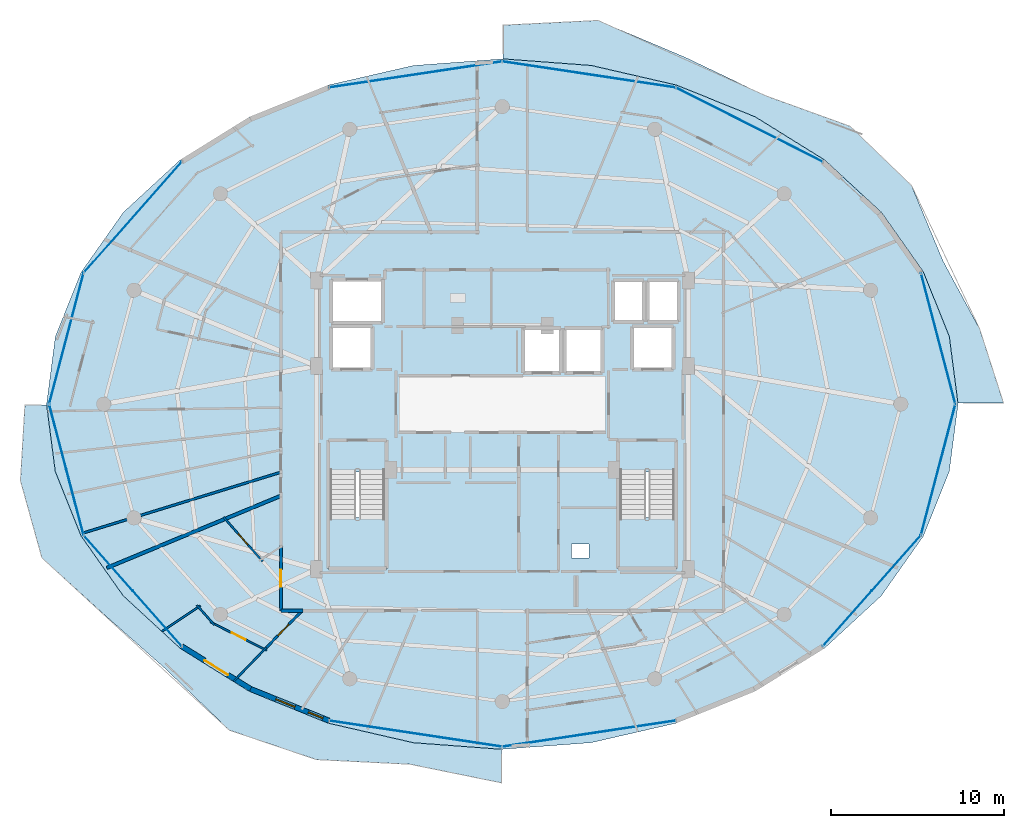
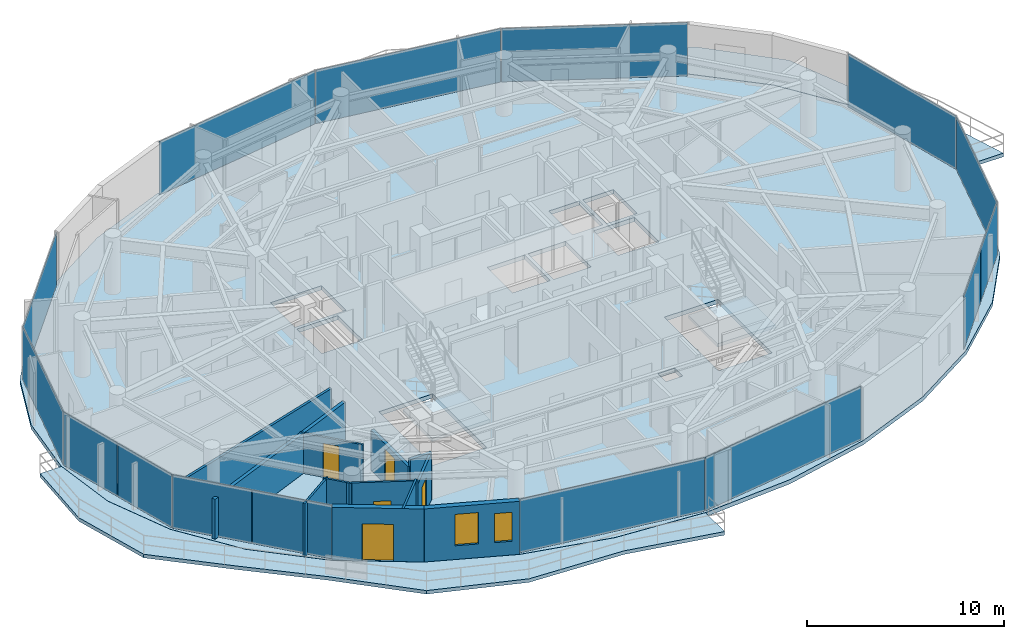
# One storey, part 22 of 31: 15 plates, 12 walls, 5 doors, 5 slabs, 2 windows, 7 openings, 6 elements without a shape of their own.
"""IFC4 building model written with IfcOpenShell, lengths in metres."""

from ifc_helpers import new_model, si_unit, direction, frame, frame_2d, origin, origin_2d, place, context, subcontext, project, spatial, polyline, rectangle, outline, extrude, material, layer, layer_set, type_object, element, fill, aggregate, save


model = new_model("IFC4")

# Units and contexts
model_context = context("Model", 3, precision=1e-05, world=origin(), true_north=direction((0.0, 1.0)))
body_context = subcontext(model_context, "Body", "Model", "MODEL_VIEW")
ifc_project = project(units=[si_unit("LENGTHUNIT", "METRE"), si_unit("AREAUNIT", "SQUARE_METRE"), si_unit("VOLUMEUNIT", "CUBIC_METRE"), si_unit("PLANEANGLEUNIT", "RADIAN"), si_unit("MASSUNIT", "GRAM", prefix="KILO")], contexts=[model_context])

# Site, building, storey
site_placement = place(None, origin())
site = spatial("IfcSite", under=ifc_project, at=site_placement, CompositionType="ELEMENT")
building_placement = place(site_placement, origin())
building = spatial("IfcBuilding", under=site, at=building_placement, Name="Vorneva Point Tower", CompositionType="ELEMENT")
storey_placement = place(building_placement, frame((0.0, 0.0, 266.199951171875)))
storey = spatial("IfcBuildingStorey", under=building, at=storey_placement, Name="L72", CompositionType="ELEMENT", Elevation=266.199951171875)

# Curtain wall, plates
ifc_material_1 = material(Name="Pale anodised aluminium", Category="aluminium")
curtain_wall_type = type_object("IfcCurtainWallType", Name="CW-RES-SYS", PredefinedType="NOTDEFINED", material=ifc_material_1)
curtain_wall_1_placement = place(storey_placement, origin())
curtain_wall_1 = element("IfcCurtainWall", 1, at=curtain_wall_1_placement, inside=storey, type_object=curtain_wall_type, Name="L72 Unitised Curtain Wall CW-L72-R01", PredefinedType="NOTDEFINED")
ifc_material_2 = material(Name="Double low-e laminated glass IGU", Category="glass")
ifc_layer_1 = layer(ifc_material_2, 0.035888671875)
ifc_layer_set_1 = layer_set([ifc_layer_1], Name="Double low-e laminated glass IGU")
plate_type = type_object("IfcPlateType", Name="CW-PNL-VIS", PredefinedType="CURTAIN_PANEL", material=ifc_layer_set_1)
plate_1_placement = place(storey_placement, frame((57.946044921875, 13.598876953125, -0.02001953125), z_axis=(0.0, 0.0, 1.0), x_axis=(0.662188570806, 0.749337238294, 0.0)))
plate_1 = element("IfcPlate", 2, at=plate_1_placement, type_object=plate_type, Name="CW-L72-R01 Glazed Panel 01A", PredefinedType="CURTAIN_PANEL", context=body_context, shape_type="SweptSolid", body=[
    extrude(rectangle(XDim=4.23828125, YDim=0.035888671875, at=origin_2d()), origin(), (0.0, 0.0, 1.0), 3.330078125),
])
plate_2_placement = place(storey_placement, frame((60.785888671875, 16.812255859375, -0.02001953125), z_axis=(0.0, 0.0, 1.0), x_axis=(0.662188570806, 0.749337238294, 0.0)))
plate_2 = element("IfcPlate", 3, at=plate_2_placement, type_object=plate_type, Name="CW-L72-R01 Glazed Panel 01B", PredefinedType="CURTAIN_PANEL", context=body_context, shape_type="SweptSolid", body=[
    extrude(rectangle(XDim=4.23828125, YDim=0.035888671875, at=origin_2d()), origin(), (0.0, 0.0, 1.0), 3.330078125),
])
plate_3_placement = place(storey_placement, frame((63.202880859375, 22.20947265625, -0.02001953125), z_axis=(0.0, 0.0, 1.0), x_axis=(0.254416284022, 0.967094801157, 0.0)))
plate_3 = element("IfcPlate", 4, at=plate_3_placement, type_object=plate_type, Name="CW-L72-R01 Glazed Panel 02", PredefinedType="CURTAIN_PANEL", context=body_context, shape_type="SweptSolid", body=[
    extrude(rectangle(XDim=7.7890625, YDim=0.035888671875, at=origin_2d()), origin(), (0.0, 0.0, 1.0), 3.330078125),
])
plate_4_placement = place(storey_placement, frame((63.202880859375, 29.79052734375, -0.02001953125), z_axis=(0.0, 0.0, 1.0), x_axis=(-0.254416284022, 0.967094801157, 0.0)))
plate_4 = element("IfcPlate", 5, at=plate_4_placement, type_object=plate_type, Name="CW-L72-R01 Glazed Panel 03", PredefinedType="CURTAIN_PANEL", context=body_context, shape_type="SweptSolid", body=[
    extrude(rectangle(XDim=7.7890625, YDim=0.035888671875, at=origin_2d()), origin(), (0.0, 0.0, 1.0), 3.330078125),
])
aggregate(curtain_wall_1, [plate_1, plate_2, plate_3, plate_4])

curtain_wall_2_placement = place(storey_placement, origin())
curtain_wall_2 = element("IfcCurtainWall", 6, at=curtain_wall_2_placement, inside=storey, type_object=curtain_wall_type, Name="L72 Unitised Curtain Wall CW-L72-R02", PredefinedType="NOTDEFINED")
plate_5_placement = place(storey_placement, frame((52.2763671875, 42.15478515625, -0.02001953125), z_axis=(0.0, 0.0, 1.0), x_axis=(-0.892554339087, 0.450939853836, 0.0)))
plate_5 = element("IfcPlate", 7, at=plate_5_placement, type_object=plate_type, Name="CW-L72-R02 Glazed Panel 01", PredefinedType="CURTAIN_PANEL", context=body_context, shape_type="SweptSolid", body=[
    extrude(rectangle(XDim=9.47314453125, YDim=0.035888671875, at=origin_2d()), origin(), (0.0, 0.0, 1.0), 3.330078125),
])
plate_6_placement = place(storey_placement, frame((43.01318359375, 45.055908203125, -0.02001953125), z_axis=(0.0, 0.0, 1.0), x_axis=(-0.988878712919, 0.148724211669, 0.0)))
plate_6 = element("IfcPlate", 8, at=plate_6_placement, type_object=plate_type, Name="CW-L72-R02 Glazed Panel 02", PredefinedType="CURTAIN_PANEL", context=body_context, shape_type="SweptSolid", body=[
    extrude(rectangle(XDim=10.089111328125, YDim=0.035888671875, at=origin_2d()), origin(), (0.0, 0.0, 1.0), 3.330078125),
])
plate_7_placement = place(storey_placement, frame((32.98681640625, 45.055908203125, -0.02001953125), z_axis=(0.0, 0.0, 1.0), x_axis=(-0.988878712919, -0.148724211669, 0.0)))
plate_7 = element("IfcPlate", 9, at=plate_7_placement, type_object=plate_type, Name="CW-L72-R02 Glazed Panel 03", PredefinedType="CURTAIN_PANEL", context=body_context, shape_type="SweptSolid", body=[
    extrude(rectangle(XDim=10.089111328125, YDim=0.035888671875, at=origin_2d()), origin(), (0.0, 0.0, 1.0), 3.330078125),
])
aggregate(curtain_wall_2, [plate_5, plate_6, plate_7])

curtain_wall_3_placement = place(storey_placement, origin())
curtain_wall_3 = element("IfcCurtainWall", 10, at=curtain_wall_3_placement, inside=storey, type_object=curtain_wall_type, Name="L72 Unitised Curtain Wall CW-L72-R03", PredefinedType="NOTDEFINED")
plate_8_placement = place(storey_placement, frame((16.634033203125, 36.79443359375, -0.02001953125), z_axis=(0.0, 0.0, 1.0), x_axis=(-0.662188570806, -0.749337238294, 0.0)))
plate_8 = element("IfcPlate", 11, at=plate_8_placement, type_object=plate_type, Name="CW-L72-R03 Glazed Panel 01", PredefinedType="CURTAIN_PANEL", context=body_context, shape_type="SweptSolid", body=[
    extrude(rectangle(XDim=8.526611328125, YDim=0.035888671875, at=origin_2d()), origin(), (0.0, 0.0, 1.0), 3.330078125),
])
plate_9_placement = place(storey_placement, frame((12.797119140625, 29.79052734375, -0.02001953125), z_axis=(0.0, 0.0, 1.0), x_axis=(-0.254416284022, -0.967094801157, 0.0)))
plate_9 = element("IfcPlate", 12, at=plate_9_placement, type_object=plate_type, Name="CW-L72-R03 Glazed Panel 02", PredefinedType="CURTAIN_PANEL", context=body_context, shape_type="SweptSolid", body=[
    extrude(rectangle(XDim=7.7890625, YDim=0.035888671875, at=origin_2d()), origin(), (0.0, 0.0, 1.0), 3.330078125),
])
plate_10_placement = place(storey_placement, frame((12.298583984375, 24.104736328125, -0.02001953125), z_axis=(0.0, 0.0, 1.0), x_axis=(0.254416284022, -0.967094801157, 0.0)))
plate_10 = element("IfcPlate", 13, at=plate_10_placement, type_object=plate_type, Name="CW-L72-R03 Glazed Panel 03A", PredefinedType="CURTAIN_PANEL", context=body_context, shape_type="SweptSolid", body=[
    extrude(rectangle(XDim=3.869384765625, YDim=0.035888671875, at=origin_2d()), origin(), (0.0, 0.0, 1.0), 3.330078125),
])
plate_11_placement = place(storey_placement, frame((13.2958984375, 20.314208984375, -0.02001953125), z_axis=(0.0, 0.0, 1.0), x_axis=(0.254416284022, -0.967094801157, 0.0)))
plate_11 = element("IfcPlate", 14, at=plate_11_placement, type_object=plate_type, Name="CW-L72-R03 Glazed Panel 03B", PredefinedType="CURTAIN_PANEL", context=body_context, shape_type="SweptSolid", body=[
    extrude(rectangle(XDim=3.869384765625, YDim=0.035888671875, at=origin_2d()), origin(), (0.0, 0.0, 1.0), 3.330078125),
])
plate_12_placement = place(storey_placement, frame((15.214111328125, 16.812255859375, -0.02001953125), z_axis=(0.0, 0.0, 1.0), x_axis=(0.662188570806, -0.749337238294, 0.0)))
plate_12 = element("IfcPlate", 15, at=plate_12_placement, type_object=plate_type, Name="CW-L72-R03 Glazed Panel 04A", PredefinedType="CURTAIN_PANEL", context=body_context, shape_type="SweptSolid", body=[
    extrude(rectangle(XDim=4.23828125, YDim=0.035888671875, at=origin_2d()), origin(), (0.0, 0.0, 1.0), 3.330078125),
])
plate_13_placement = place(storey_placement, frame((18.053955078125, 13.598876953125, -0.02001953125), z_axis=(0.0, 0.0, 1.0), x_axis=(0.662188570806, -0.749337238294, 0.0)))
plate_13 = element("IfcPlate", 16, at=plate_13_placement, type_object=plate_type, Name="CW-L72-R03 Glazed Panel 04B", PredefinedType="CURTAIN_PANEL", context=body_context, shape_type="SweptSolid", body=[
    extrude(rectangle(XDim=4.23828125, YDim=0.035888671875, at=origin_2d()), origin(), (0.0, 0.0, 1.0), 3.330078125),
])
aggregate(curtain_wall_3, [plate_8, plate_9, plate_10, plate_11, plate_12, plate_13])

curtain_wall_4_placement = place(storey_placement, origin())
curtain_wall_4 = element("IfcCurtainWall", 17, at=curtain_wall_4_placement, inside=storey, type_object=curtain_wall_type, Name="L72 Unitised Curtain Wall CW-L72-R04", PredefinedType="NOTDEFINED")
plate_14_placement = place(storey_placement, frame((32.98681640625, 6.944091796875, -0.02001953125), z_axis=(0.0, 0.0, 1.0), x_axis=(0.988878712919, -0.148724211669, 0.0)))
plate_14 = element("IfcPlate", 18, at=plate_14_placement, type_object=plate_type, Name="CW-L72-R04 Glazed Panel 01", PredefinedType="CURTAIN_PANEL", context=body_context, shape_type="SweptSolid", body=[
    extrude(rectangle(XDim=10.089111328125, YDim=0.035888671875, at=origin_2d()), origin(), (0.0, 0.0, 1.0), 3.330078125),
])
plate_15_placement = place(storey_placement, frame((43.01318359375, 6.944091796875, -0.02001953125), z_axis=(0.0, 0.0, 1.0), x_axis=(0.988878712919, 0.148724211669, 0.0)))
plate_15 = element("IfcPlate", 19, at=plate_15_placement, type_object=plate_type, Name="CW-L72-R04 Glazed Panel 02", PredefinedType="CURTAIN_PANEL", context=body_context, shape_type="SweptSolid", body=[
    extrude(rectangle(XDim=10.089111328125, YDim=0.035888671875, at=origin_2d()), origin(), (0.0, 0.0, 1.0), 3.330078125),
])
aggregate(curtain_wall_4, [plate_14, plate_15])

# Slabs
ifc_material_3 = material(Name="Concrete B50 (C40/50)", Category="concrete")
ifc_layer_2 = layer(ifc_material_3, 0.219970703125)
ifc_layer_set_2 = layer_set([ifc_layer_2], Name="Concrete B50 (C40/50)")
slab_type_1 = type_object("IfcSlabType", Name="SLB-BAL-220", PredefinedType="FLOOR", material=ifc_layer_set_2)
slab_1_placement = place(storey_placement, frame((0.0, 0.0, -0.219970703125)))
element("IfcSlab", 20, at=slab_1_placement, inside=storey, type_object=slab_type_1, Name="L72 Cantilevered Wave Balcony NE", PredefinedType="FLOOR", context=body_context, shape_type="SweptSolid", body=[
    extrude(outline(polyline([(38.050048828125, 47.91259765625), (38.050048828125, 45.960205078125), (43.140869140625, 45.58056640625), (43.14111328125, 45.58056640625), (43.1416015625, 45.580322265625), (48.084716796875, 44.444580078125), (48.0849609375, 44.4443359375), (48.085205078125, 44.4443359375), (52.640869140625, 42.599853515625), (52.64111328125, 42.599609375), (52.641357421875, 42.599609375), (56.634521484375, 40.1171875), (56.634765625, 40.1171875), (56.635009765625, 40.11669921875), (59.911865234375, 37.092041015625), (59.912109375, 37.091796875), (59.91259765625, 37.091552734375), (62.347412109375, 33.640625), (62.34765625, 33.640380859375), (62.347900390625, 33.639892578125), (63.847412109375, 29.8955078125), (63.847412109375, 29.895263671875), (63.84765625, 29.894775390625), (63.84765625, 29.89453125), (64.347412109375, 26.050048828125), (66.98388671875, 26.050048828125), (65.59765625, 30.3544921875), (63.48779296875, 34.263671875), (61.6630859375, 38.636474609375), (58.108642578125, 42.062744140625), (53.257080078125, 43.816650390625), (48.58740234375, 46.045654296875), (43.533447265625, 48.18359375), (38.050048828125, 47.91259765625)])), origin(), (0.0, 0.0, 1.0), 0.219970703125),
])
slab_2_placement = place(storey_placement, frame((0.0, 0.0, -0.219970703125)))
element("IfcSlab", 21, at=slab_2_placement, inside=storey, type_object=slab_type_1, Name="L72 Cantilevered Wave Balcony SW", PredefinedType="FLOOR", context=body_context, shape_type="SweptSolid", body=[
    extrude(outline(polyline([(37.949951171875, 4.10009765625), (37.949951171875, 6.039794921875), (32.859130859375, 6.41943359375), (32.85888671875, 6.41943359375), (32.8583984375, 6.419677734375), (27.915283203125, 7.555419921875), (27.9150390625, 7.5556640625), (27.914794921875, 7.5556640625), (23.359130859375, 9.400146484375), (23.35888671875, 9.400390625), (23.358642578125, 9.400390625), (19.365478515625, 11.8828125), (19.365234375, 11.8828125), (19.364990234375, 11.88330078125), (16.088134765625, 14.907958984375), (16.087890625, 14.908203125), (16.08740234375, 14.908447265625), (13.652587890625, 18.359375), (13.65234375, 18.359619140625), (13.652099609375, 18.360107421875), (12.152587890625, 22.1044921875), (12.152587890625, 22.104736328125), (12.15234375, 22.105224609375), (12.15234375, 22.10546875), (11.652587890625, 25.949951171875), (10.39697265625, 25.949951171875), (10.13818359375, 21.575927734375), (11.37744140625, 17.11572265625), (14.920166015625, 13.878173828125), (18.4892578125, 10.726318359375), (22.21728515625, 7.144775390625), (27.252197265625, 5.443115234375), (32.671142578125, 5.17431640625), (37.949951171875, 4.10009765625)])), origin(), (0.0, 0.0, 1.0), 0.219970703125),
])

# Stair, slab
stair_type = type_object("IfcStairType", Name="ST-DOG-1500", PredefinedType="HALF_TURN_STAIR", material=ifc_material_3)
stair_1_placement = place(storey_placement, origin())
stair_1 = element("IfcStair", 22, at=stair_1_placement, inside=storey, type_object=stair_type, Name="L72 ST1", PredefinedType="HALF_TURN_STAIR")
ifc_layer_3 = layer(ifc_material_3, 0.199951171875)
ifc_layer_set_3 = layer_set([ifc_layer_3], Name="Concrete B50 (C40/50)")
slab_type_2 = type_object("IfcSlabType", Name="SLB-LND-200", PredefinedType="LANDING", material=ifc_layer_set_3)
slab_3_placement = place(storey_placement, frame((0.0, 0.0, 1.574951171875)))
slab_3 = element("IfcSlab", 23, at=slab_3_placement, type_object=slab_type_2, Name="ST1 landing 1", PredefinedType="LANDING", context=body_context, shape_type="SweptSolid", body=[
    extrude(outline(polyline([(27.929931640625, 16.47998046875), (31.320068359375, 16.47998046875), (31.320068359375, 19.43994140625), (27.929931640625, 19.43994140625), (27.929931640625, 16.47998046875)])), origin(), (0.0, 0.0, 1.0), 0.2001953125),
])
aggregate(stair_1, [slab_3])

stair_2_placement = place(storey_placement, origin())
stair_2 = element("IfcStair", 24, at=stair_2_placement, inside=storey, type_object=stair_type, Name="L72 ST2", PredefinedType="HALF_TURN_STAIR")
slab_4_placement = place(storey_placement, frame((0.0, 0.0, 1.574951171875)))
slab_4 = element("IfcSlab", 25, at=slab_4_placement, type_object=slab_type_2, Name="ST2 landing 1", PredefinedType="LANDING", context=body_context, shape_type="SweptSolid", body=[
    extrude(outline(polyline([(44.679931640625, 16.47998046875), (48.070068359375, 16.47998046875), (48.070068359375, 19.43994140625), (44.679931640625, 19.43994140625), (44.679931640625, 16.47998046875)])), origin(), (0.0, 0.0, 1.0), 0.2001953125),
])
aggregate(stair_2, [slab_4])

# Slab
ifc_layer_4 = layer(ifc_material_3, 0.260009765625)
ifc_layer_set_4 = layer_set([ifc_layer_4], Name="Concrete B50 (C40/50)")
slab_type_3 = type_object("IfcSlabType", Name="SLB-TYP-260", PredefinedType="FLOOR", material=ifc_layer_set_4)
slab_5_placement = place(storey_placement, frame((0.0, 0.0, -0.260009765625)))
element("IfcSlab", 26, at=slab_5_placement, inside=storey, type_object=slab_type_3, Name="L72 Structural Floor Plate", PredefinedType="FLOOR", context=body_context, shape_type="SweptSolid", body=[
    extrude(outline(polyline([(64.35009765625, 26.0), (63.84375, 29.89404296875), (62.34423828125, 33.638427734375), (59.9091796875, 37.089111328125), (56.63232421875, 40.114013671875), (52.639404296875, 42.59619140625), (48.083740234375, 44.440673828125), (43.140625, 45.576416015625), (38.0, 45.9599609375), (32.859375, 45.576416015625), (27.916259765625, 44.440673828125), (23.360595703125, 42.59619140625), (19.36767578125, 40.114013671875), (16.0908203125, 37.089111328125), (13.65576171875, 33.638427734375), (12.15625, 29.89404296875), (11.64990234375, 26.0), (12.15625, 22.10595703125), (13.65576171875, 18.361572265625), (16.0908203125, 14.910888671875), (19.36767578125, 11.885986328125), (23.360595703125, 9.40380859375), (27.916259765625, 7.559326171875), (32.859375, 6.423583984375), (38.0, 6.0400390625), (43.140625, 6.423583984375), (48.083740234375, 7.559326171875), (52.639404296875, 9.40380859375), (56.63232421875, 11.885986328125), (59.9091796875, 14.910888671875), (62.34423828125, 18.361572265625), (63.84375, 22.10595703125), (64.35009765625, 26.0)]), holes=[polyline([(39.199951171875, 27.800048828125), (41.39990234375, 27.800048828125), (41.39990234375, 30.39990234375), (39.199951171875, 30.39990234375), (39.199951171875, 27.800048828125)]), polyline([(41.60009765625, 27.800048828125), (43.800048828125, 27.800048828125), (43.800048828125, 30.39990234375), (41.60009765625, 30.39990234375), (41.60009765625, 27.800048828125)]), polyline([(44.39990234375, 30.739990234375), (46.199951171875, 30.739990234375), (46.199951171875, 33.159912109375), (44.39990234375, 33.159912109375), (44.39990234375, 30.739990234375)]), polyline([(46.39990234375, 30.739990234375), (48.199951171875, 30.739990234375), (48.199951171875, 33.159912109375), (46.39990234375, 33.159912109375), (46.39990234375, 30.739990234375)]), polyline([(28.10009765625, 28.0), (30.5, 28.0), (30.5, 30.5), (28.10009765625, 30.5), (28.10009765625, 28.0)]), polyline([(45.5, 28.0), (47.89990234375, 28.0), (47.89990234375, 30.5), (45.5, 30.5), (45.5, 28.0)]), polyline([(28.10009765625, 30.699951171875), (31.10009765625, 30.699951171875), (31.10009765625, 33.199951171875), (28.10009765625, 33.199951171875), (28.10009765625, 30.699951171875)]), polyline([(28.050048828125, 16.60009765625), (31.199951171875, 16.60009765625), (31.199951171875, 22.080078125), (28.050048828125, 22.080078125), (28.050048828125, 16.60009765625)]), polyline([(44.800048828125, 16.60009765625), (47.949951171875, 16.60009765625), (47.949951171875, 22.080078125), (44.800048828125, 22.080078125), (44.800048828125, 16.60009765625)]), polyline([(42.0, 17.10009765625), (43.0, 17.10009765625), (43.0, 17.89990234375), (42.0, 17.89990234375), (42.0, 17.10009765625)])]), origin(), (0.0, 0.0, 1.0), 0.260009765625),
])

# Wall, opening, door
ifc_material_4 = material(Name="Precast concrete B50 (C40/50)", Category="concrete")
ifc_layer_5 = layer(ifc_material_4, 0.300048828125)
ifc_layer_set_5 = layer_set([ifc_layer_5], Name="Precast concrete B50 (C40/50)")
wall_type_1 = type_object("IfcWallType", Name="WL-EXT-300", PredefinedType="STANDARD", material=ifc_layer_set_5)
wall_1_placement = place(storey_placement, frame((19.473876953125, 11.9921875, 0.0), z_axis=(0.0, 0.0, 1.0), x_axis=(0.849702323036, -0.527262707032, 0.0)))
wall_1 = element("IfcWall", 27, at=wall_1_placement, inside=storey, type_object=wall_type_1, Name="L72 Pale-Metal Facade Spandrel Wall 11.1", PredefinedType="STANDARD", context=body_context, shape_type="SweptSolid", body=[
    extrude(rectangle(XDim=4.67236328125, YDim=0.300048828125, at=frame_2d((2.336181640625, 0.0))), origin(), (0.0, 0.0, 1.0), 3.2900390625),
])
opening_1_placement = place(wall_1_placement, frame((1.536376953125, 0.0, 0.0)))
opening_1 = element("IfcOpeningElement", 28, at=opening_1_placement, cuts=wall_1, Name="Opening BD-01", PredefinedType="OPENING", context=body_context, shape_type="SweptSolid", body=[
    extrude(rectangle(XDim=1.60009765625, YDim=2.300048828125, at=frame_2d((0.800048828125, 1.14990234375))), frame((0.0, 0.1650390625, 0.0), z_axis=(0.0, -1.0, 0.0), x_axis=(1.0, 0.0, 0.0)), (0.0, 0.0, 1.0), 0.329833984375),
])
door_type_1 = type_object("IfcDoorType", Name="DR-BAL-1600", OperationType="SLIDING_TO_LEFT", PredefinedType="DOOR", material=ifc_material_1)
door_1_placement = place(opening_1_placement, origin())
door_1 = element("IfcDoor", 29, at=door_1_placement, inside=storey, type_object=door_type_1, Name="L72 Balcony Terrace Access Door 11", OperationType="SLIDING_TO_LEFT", OverallHeight=2.300048828125, OverallWidth=1.60009765625, PredefinedType="DOOR", context=body_context, shape_type="SweptSolid", body=[
    extrude(rectangle(XDim=1.60009765625, YDim=2.300048828125, at=frame_2d((0.800048828125, 1.14990234375))), frame((0.0, 0.02490234375, 0.0), z_axis=(0.0, -1.0, 0.0), x_axis=(1.0, 0.0, 0.0)), (0.0, 0.0, 1.0), 0.050048828125),
])
fill(opening_1, door_1)

# Wall, openings, windows
wall_2_placement = place(storey_placement, frame((23.444091796875, 9.528564453125, 0.0), z_axis=(0.0, 0.0, 1.0), x_axis=(0.927147375511, -0.374696869594, 0.0)))
wall_2 = element("IfcWall", 30, at=wall_2_placement, inside=storey, type_object=wall_type_1, Name="L72 Pale-Metal Facade Spandrel Wall 11.2", PredefinedType="STANDARD", context=body_context, shape_type="SweptSolid", body=[
    extrude(rectangle(XDim=4.885498046875, YDim=0.300048828125, at=frame_2d((2.44287109375, 0.0))), origin(), (0.0, 0.0, 1.0), 3.2900390625),
])
opening_2_placement = place(wall_2_placement, frame((1.573974609375, 0.0, 0.85009765625)))
opening_2 = element("IfcOpeningElement", 31, at=opening_2_placement, cuts=wall_2, Name="Opening W-04", PredefinedType="OPENING", context=body_context, shape_type="SweptSolid", body=[
    extrude(rectangle(XDim=1.199951171875, YDim=1.949951171875, at=frame_2d((0.60009765625, 0.97509765625))), frame((0.0, 0.1650390625, 0.0), z_axis=(0.0, -1.0, 0.0), x_axis=(1.0, 0.0, 0.0)), (0.0, 0.0, 1.0), 0.329833984375),
])
opening_3_placement = place(wall_2_placement, frame((3.6064453125, 0.0, 0.85009765625)))
opening_3 = element("IfcOpeningElement", 32, at=opening_3_placement, cuts=wall_2, Name="Opening W-08", PredefinedType="OPENING", context=body_context, shape_type="SweptSolid", body=[
    extrude(rectangle(XDim=0.89990234375, YDim=1.800048828125, at=frame_2d((0.449951171875, 0.89990234375))), frame((0.0, 0.1650390625, 0.0), z_axis=(0.0, -1.0, 0.0), x_axis=(1.0, 0.0, 0.0)), (0.0, 0.0, 1.0), 0.329833984375),
])
window_type_1 = type_object("IfcWindowType", Name="WN-CAS-900", PartitioningType="SINGLE_PANEL", PredefinedType="WINDOW", material=ifc_material_2)
window_1_placement = place(opening_3_placement, origin())
window_1 = element("IfcWindow", 33, at=window_1_placement, inside=storey, type_object=window_type_1, Name="L72 Dwelling Vision Window 02", OverallHeight=1.800048828125, OverallWidth=0.89990234375, PartitioningType="SINGLE_PANEL", PredefinedType="WINDOW", context=body_context, shape_type="SweptSolid", body=[
    extrude(rectangle(XDim=0.89990234375, YDim=1.800048828125, at=frame_2d((0.449951171875, 0.89990234375))), frame((0.0, 0.030029296875, 0.0), z_axis=(0.0, -1.0, 0.0), x_axis=(1.0, 0.0, 0.0)), (0.0, 0.0, 1.0), 0.06005859375),
])
fill(opening_3, window_1)
window_type_2 = type_object("IfcWindowType", Name="WN-RES-1200", PartitioningType="SINGLE_PANEL", PredefinedType="WINDOW", material=ifc_material_2)
window_2_placement = place(opening_2_placement, origin())
window_2 = element("IfcWindow", 34, at=window_2_placement, inside=storey, type_object=window_type_2, Name="L72 Dwelling Vision Window 01", OverallHeight=1.949951171875, OverallWidth=1.199951171875, PartitioningType="SINGLE_PANEL", PredefinedType="WINDOW", context=body_context, shape_type="SweptSolid", body=[
    extrude(rectangle(XDim=1.199951171875, YDim=1.949951171875, at=frame_2d((0.60009765625, 0.97509765625))), frame((0.0, 0.030029296875, 0.0), z_axis=(0.0, -1.0, 0.0), x_axis=(1.0, 0.0, 0.0)), (0.0, 0.0, 1.0), 0.06005859375),
])
fill(opening_2, window_2)

# Wall, opening, door
ifc_material_5 = material(Name="Fire-rated acoustic gypsum stud partition", Category="gypsum")
ifc_layer_6 = layer(ifc_material_5, 0.110107421875)
ifc_layer_set_6 = layer_set([ifc_layer_6], Name="Fire-rated acoustic gypsum stud partition")
wall_type_2 = type_object("IfcWallType", Name="WL-PART-110", PredefinedType="PARTITIONING", material=ifc_layer_set_6)
wall_3_placement = place(storey_placement, frame((24.1416015625, 16.906005859375, 0.0), z_axis=(0.0, 0.0, 1.0), x_axis=(-0.662044708061, 0.749464345068, 0.0)))
wall_3 = element("IfcWall", 35, at=wall_3_placement, inside=storey, type_object=wall_type_2, Name="L72 Interior Partition 104", PredefinedType="PARTITIONING", context=body_context, shape_type="SweptSolid", body=[
    extrude(rectangle(XDim=3.41552734375, YDim=0.110107421875, at=frame_2d((1.707763671875, 0.0))), origin(), (0.0, 0.0, 1.0), 2.48193359375),
])
opening_4_placement = place(wall_3_placement, frame((1.28271484375, 0.0, 0.0)))
opening_4 = element("IfcOpeningElement", 36, at=opening_4_placement, cuts=wall_3, Name="Opening ID-02", PredefinedType="OPENING", context=body_context, shape_type="SweptSolid", body=[
    extrude(rectangle(XDim=0.85009765625, YDim=2.10009765625, at=frame_2d((0.425048828125, 1.050048828125))), frame((0.0, 0.06982421875, 0.0), z_axis=(0.0, -1.0, 0.0), x_axis=(1.0, 0.0, 0.0)), (0.0, 0.0, 1.0), 0.139892578125),
])
ifc_material_6 = material(Name="Engineered oak fire-rated door leaf", Category="wood")
door_type_2 = type_object("IfcDoorType", Name="DR-BATH-850", OperationType="NOTDEFINED", PredefinedType="DOOR", material=ifc_material_6)
door_2_placement = place(opening_4_placement, origin())
door_2 = element("IfcDoor", 37, at=door_2_placement, inside=storey, type_object=door_type_2, Name="L72 Door Living and Dining Room L72-05 / Bathroom L72-05", OperationType="SINGLE_SWING_RIGHT", OverallHeight=2.10009765625, OverallWidth=0.85009765625, PredefinedType="DOOR", context=body_context, shape_type="SweptSolid", body=[
    extrude(rectangle(XDim=0.85009765625, YDim=2.10009765625, at=frame_2d((0.425048828125, 1.050048828125))), frame((0.0, 0.02490234375, 0.0), z_axis=(0.0, -1.0, 0.0), x_axis=(1.0, 0.0, 0.0)), (0.0, 0.0, 1.0), 0.050048828125),
])
fill(opening_4, door_2)

# Wall
wall_4_placement = place(storey_placement, frame((20.33935546875, 14.373779296875, 0.0), z_axis=(0.0, 0.0, 1.0), x_axis=(0.662352602393, -0.749192251764, 0.0)))
element("IfcWall", 38, at=wall_4_placement, inside=storey, type_object=wall_type_2, Name="L72 Interior Partition 105", PredefinedType="PARTITIONING", context=body_context, shape_type="SweptSolid", body=[
    extrude(rectangle(XDim=1.523681640625, YDim=0.110107421875, at=frame_2d((0.76171875, 0.0))), origin(), (0.0, 0.0, 1.0), 3.2900390625),
])

# Wall, opening, door
wall_5_placement = place(storey_placement, frame((21.131103515625, 13.400146484375, 0.0), z_axis=(0.0, 0.0, 1.0), x_axis=(0.892570631547, -0.450907604394, 0.0)))
wall_5 = element("IfcWall", 39, at=wall_5_placement, inside=storey, type_object=wall_type_2, Name="L72 Interior Partition 106", PredefinedType="PARTITIONING", context=body_context, shape_type="SweptSolid", body=[
    extrude(rectangle(XDim=3.64453125, YDim=0.110107421875, at=frame_2d((1.822265625, 0.0))), origin(), (0.0, 0.0, 1.0), 3.2900390625),
])
opening_5_placement = place(wall_5_placement, frame((1.372314453125, 0.0, 0.0)))
opening_5 = element("IfcOpeningElement", 40, at=opening_5_placement, cuts=wall_5, Name="Opening ID-01", PredefinedType="OPENING", context=body_context, shape_type="SweptSolid", body=[
    extrude(rectangle(XDim=0.89990234375, YDim=2.10009765625, at=frame_2d((0.449951171875, 1.050048828125))), frame((0.0, 0.06982421875, 0.0), z_axis=(0.0, -1.0, 0.0), x_axis=(1.0, 0.0, 0.0)), (0.0, 0.0, 1.0), 0.139892578125),
])
door_type_3 = type_object("IfcDoorType", Name="DR-ROOM-900", OperationType="NOTDEFINED", PredefinedType="DOOR", material=ifc_material_6)
door_3_placement = place(opening_5_placement, origin())
door_3 = element("IfcDoor", 41, at=door_3_placement, inside=storey, type_object=door_type_3, Name="L72 Door Living and Dining Room L72-05 / Kitchen L72-05", OperationType="SINGLE_SWING_RIGHT", OverallHeight=2.10009765625, OverallWidth=0.89990234375, PredefinedType="DOOR", context=body_context, shape_type="SweptSolid", body=[
    extrude(rectangle(XDim=0.89990234375, YDim=2.10009765625, at=frame_2d((0.449951171875, 1.050048828125))), frame((0.0, 0.02490234375, 0.0), z_axis=(0.0, -1.0, 0.0), x_axis=(1.0, 0.0, 0.0)), (0.0, 0.0, 1.0), 0.050048828125),
])
fill(opening_5, door_3)

# Walls
wall_6_placement = place(storey_placement, frame((18.32763671875, 12.8642578125, 0.0), z_axis=(0.0, 0.0, 1.0), x_axis=(0.831712526046, 0.555206514748, 0.0)))
element("IfcWall", 42, at=wall_6_placement, inside=storey, type_object=wall_type_2, Name="L72 Interior Partition 107", PredefinedType="PARTITIONING", context=body_context, shape_type="SweptSolid", body=[
    extrude(rectangle(XDim=2.669921875, YDim=0.110107421875, at=frame_2d((1.3349609375, 0.0))), origin(), (0.0, 0.0, 1.0), 3.2900390625),
])
wall_7_placement = place(storey_placement, frame((22.469482421875, 9.973388671875, 0.0), z_axis=(0.0, 0.0, 1.0), x_axis=(0.695944713466, 0.718095366786, 0.0)))
element("IfcWall", 43, at=wall_7_placement, inside=storey, type_object=wall_type_2, Name="L72 Interior Partition 109", PredefinedType="PARTITIONING", context=body_context, shape_type="SweptSolid", body=[
    extrude(rectangle(XDim=2.71142578125, YDim=0.110107421875, at=frame_2d((1.355712890625, 0.0))), origin(), (0.0, 0.0, 1.0), 3.2900390625),
])
ifc_layer_7 = layer(ifc_material_5, 0.139892578125)
ifc_layer_set_7 = layer_set([ifc_layer_7], Name="Fire-rated acoustic gypsum stud partition")
wall_type_3 = type_object("IfcWallType", Name="WL-PART-140", PredefinedType="PARTITIONING", material=ifc_layer_set_7)
wall_8_placement = place(storey_placement, frame((13.7470703125, 18.5390625, 0.0), z_axis=(0.0, 0.0, 1.0), x_axis=(0.955802794564, 0.294008533725, 0.0)))
element("IfcWall", 44, at=wall_8_placement, inside=storey, type_object=wall_type_3, Name="L72 Interior Partition 101", PredefinedType="PARTITIONING", context=body_context, shape_type="SweptSolid", body=[
    extrude(rectangle(XDim=11.982421875, YDim=0.139892578125, at=frame_2d((5.9912109375, 0.0))), origin(), (0.0, 0.0, 1.0), 2.48193359375),
])

# Wall, opening, door
wall_9_placement = place(storey_placement, frame((24.259033203125, 11.820068359375, 0.0), z_axis=(0.0, 0.0, 1.0), x_axis=(0.695894072482, 0.718144442215, 0.0)))
wall_9 = element("IfcWall", 45, at=wall_9_placement, inside=storey, type_object=wall_type_3, Name="L72 Interior Partition 108", PredefinedType="PARTITIONING", context=body_context, shape_type="SweptSolid", body=[
    extrude(rectangle(XDim=3.105224609375, YDim=0.139892578125, at=frame_2d((1.552734375, 0.0))), origin(), (0.0, 0.0, 1.0), 2.8740234375),
])
opening_6_placement = place(wall_9_placement, frame((1.1025390625, 0.0, 0.0)))
opening_6 = element("IfcOpeningElement", 46, at=opening_6_placement, cuts=wall_9, Name="Opening ID-01", PredefinedType="OPENING", context=body_context, shape_type="SweptSolid", body=[
    extrude(rectangle(XDim=0.89990234375, YDim=2.10009765625, at=frame_2d((0.449951171875, 1.050048828125))), frame((0.0, 0.0849609375, 0.0), z_axis=(0.0, -1.0, 0.0), x_axis=(1.0, 0.0, 0.0)), (0.0, 0.0, 1.0), 0.169677734375),
])
door_4_placement = place(opening_6_placement, origin())
door_4 = element("IfcDoor", 47, at=door_4_placement, inside=storey, type_object=door_type_3, Name="L72 Door Living and Dining Room L72-05 / Master Bedroom L72-05.1", OperationType="SINGLE_SWING_RIGHT", OverallHeight=2.10009765625, OverallWidth=0.89990234375, PredefinedType="DOOR", context=body_context, shape_type="SweptSolid", body=[
    extrude(rectangle(XDim=0.89990234375, YDim=2.10009765625, at=frame_2d((0.449951171875, 1.050048828125))), frame((0.0, 0.02490234375, 0.0), z_axis=(0.0, -1.0, 0.0), x_axis=(1.0, 0.0, 0.0)), (0.0, 0.0, 1.0), 0.050048828125),
])
fill(opening_6, door_4)

ifc_material_7 = material(Name="Autoclaved aerated concrete blockwork", Category="masonry")
ifc_layer_8 = layer(ifc_material_7, 0.179931640625)
ifc_layer_set_8 = layer_set([ifc_layer_8], Name="Autoclaved aerated concrete blockwork")
wall_type_4 = type_object("IfcWallType", Name="WL-PART-180", PredefinedType="PARTITIONING", material=ifc_layer_set_8)
wall_10_placement = place(storey_placement, frame((25.199951171875, 17.81201171875, 0.0), z_axis=(0.0, 0.0, 1.0), x_axis=(0.0, -1.0, 0.0)))
wall_10 = element("IfcWall", 48, at=wall_10_placement, inside=storey, type_object=wall_type_4, Name="L72 Interior Partition 048", PredefinedType="PARTITIONING", context=body_context, shape_type="SweptSolid", body=[
    extrude(rectangle(XDim=3.761962890625, YDim=0.179931640625, at=frame_2d((1.880859375, 0.0))), origin(), (0.0, 0.0, 1.0), 2.48193359375),
])
opening_7_placement = place(wall_10_placement, frame((1.381103515625, 0.0, 0.0)))
opening_7 = element("IfcOpeningElement", 49, at=opening_7_placement, cuts=wall_10, Name="Opening UD-01", PredefinedType="OPENING", context=body_context, shape_type="SweptSolid", body=[
    extrude(rectangle(XDim=1.0, YDim=2.14990234375, at=frame_2d((0.5, 1.074951171875))), frame((0.0, 0.10498046875, 0.0), z_axis=(0.0, -1.0, 0.0), x_axis=(1.0, 0.0, 0.0)), (0.0, 0.0, 1.0), 0.209716796875),
])
door_type_4 = type_object("IfcDoorType", Name="DR-UNIT-1000", OperationType="NOTDEFINED", PredefinedType="DOOR", material=ifc_material_6)
door_5_placement = place(opening_7_placement, origin())
door_5 = element("IfcDoor", 50, at=door_5_placement, inside=storey, type_object=door_type_4, Name="L72 Door L72 Circulation Corridor / Living and Dining Room L72-05", OperationType="SINGLE_SWING_LEFT", OverallHeight=2.14990234375, OverallWidth=1.0, PredefinedType="DOOR", context=body_context, shape_type="SweptSolid", body=[
    extrude(rectangle(XDim=1.0, YDim=2.14990234375, at=frame_2d((0.5, 1.074951171875))), frame((0.0, 0.02490234375, 0.0), z_axis=(0.0, -1.0, 0.0), x_axis=(1.0, 0.0, 0.0)), (0.0, 0.0, 1.0), 0.050048828125),
])
fill(opening_7, door_5)

# Walls
wall_11_placement = place(storey_placement, frame((25.199951171875, 14.050048828125, 0.0), z_axis=(0.0, 0.0, 1.0), x_axis=(1.0, 0.0, 0.0)))
element("IfcWall", 51, at=wall_11_placement, inside=storey, type_object=wall_type_4, Name="L72 Interior Partition 049", PredefinedType="PARTITIONING", context=body_context, shape_type="SweptSolid", body=[
    extrude(rectangle(XDim=1.280029296875, YDim=0.179931640625, at=frame_2d((0.64013671875, 0.0))), origin(), (0.0, 0.0, 1.0), 2.93603515625),
])
ifc_layer_9 = layer(ifc_material_7, 0.199951171875)
ifc_layer_set_9 = layer_set([ifc_layer_9], Name="Autoclaved aerated concrete blockwork")
wall_type_5 = type_object("IfcWallType", Name="WL-PART-200", PredefinedType="PARTITIONING", material=ifc_layer_set_9)
wall_12_placement = place(storey_placement, frame((15.133056640625, 16.528076171875, 0.0), z_axis=(0.0, 0.0, 1.0), x_axis=(0.923877013663, 0.382689513347, 0.0)))
element("IfcWall", 52, at=wall_12_placement, inside=storey, type_object=wall_type_5, Name="L72 Interior Partition 102", PredefinedType="PARTITIONING", context=body_context, shape_type="SweptSolid", body=[
    extrude(rectangle(XDim=10.896240234375, YDim=0.199951171875, at=frame_2d((5.4482421875, 0.0))), origin(), (0.0, 0.0, 1.0), 2.48193359375),
])

save(model, "model.ifc")
